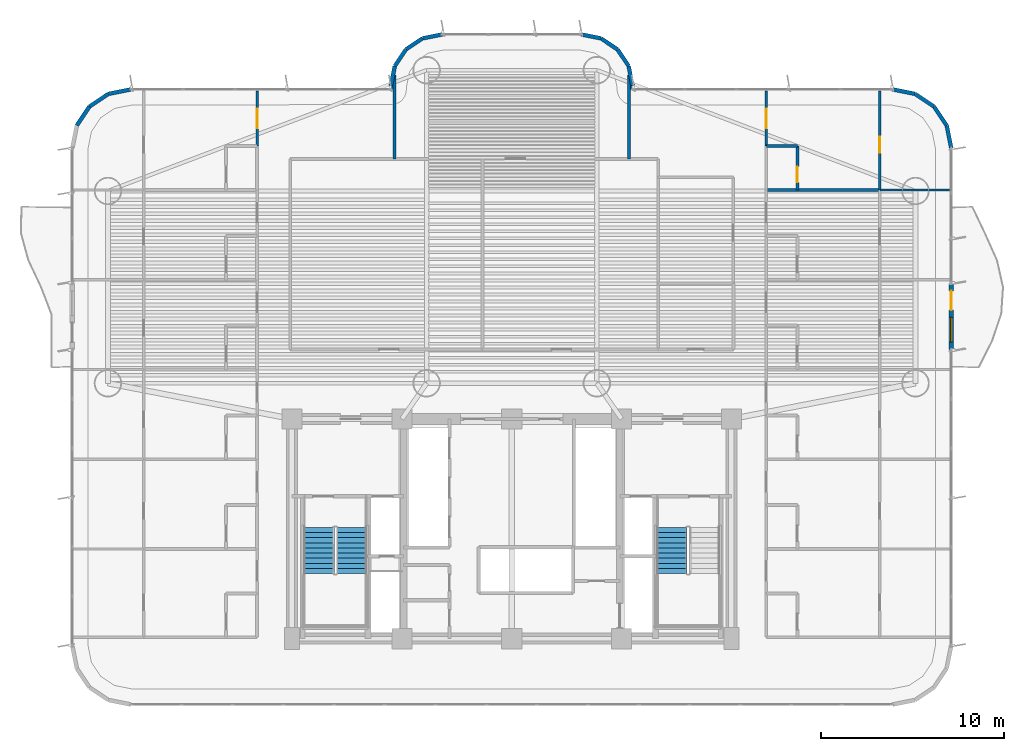
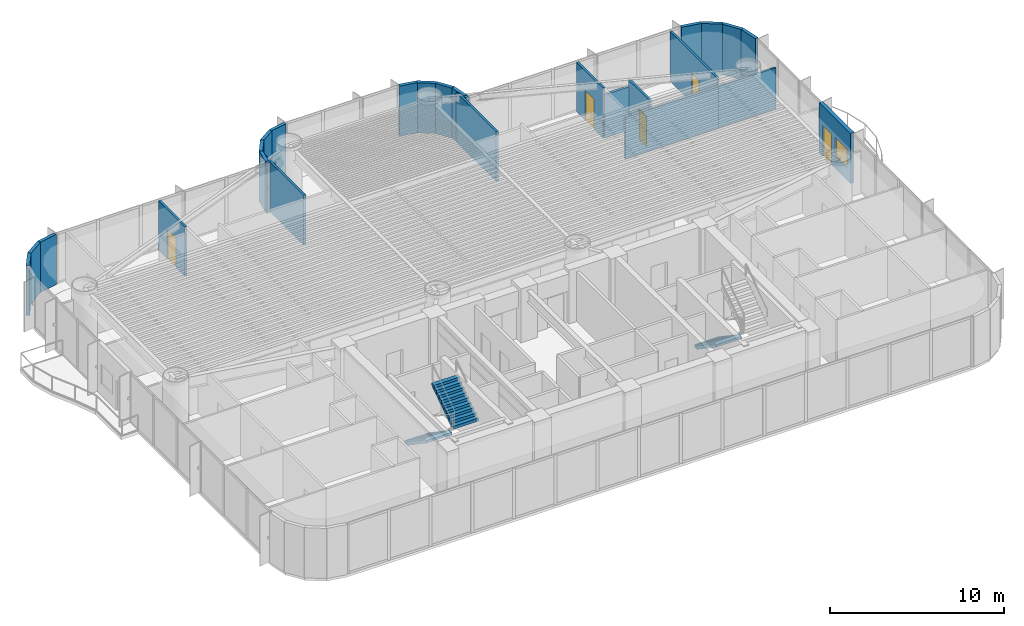
# One storey, part 14 of 19: 27 walls, 5 doors, 3 stair flights, 1 window, 6 openings, 2 elements without a shape of their own.
"""IFC4 building model written with IfcOpenShell, lengths in metres."""

from ifc_helpers import new_model, si_unit, direction, frame, frame_2d, origin, origin_2d, place, context, subcontext, project, spatial, polyline, rectangle, outline, extrude, source, transform, mapped, material, layer, layer_set, type_object, element, fill, aggregate, save


model = new_model("IFC4")

# Units and contexts
model_context = context("Model", 3, precision=1e-05, world=origin(), true_north=direction((0.0, 1.0)))
body_context = subcontext(model_context, "Body", "Model", "MODEL_VIEW")
ifc_project = project(units=[si_unit("LENGTHUNIT", "METRE"), si_unit("AREAUNIT", "SQUARE_METRE"), si_unit("VOLUMEUNIT", "CUBIC_METRE"), si_unit("PLANEANGLEUNIT", "RADIAN"), si_unit("MASSUNIT", "GRAM", prefix="KILO")], contexts=[model_context])

# Site, building, storey
site_placement = place(None, origin())
site = spatial("IfcSite", under=ifc_project, at=site_placement, CompositionType="ELEMENT")
building_placement = place(site_placement, origin())
building = spatial("IfcBuilding", under=site, at=building_placement, Name="Brelvock Crest Care Tower", CompositionType="ELEMENT")
storey_placement = place(building_placement, frame((0.0, 0.0, 64.800048828125)))
storey = spatial("IfcBuildingStorey", under=building, at=storey_placement, Name="L16", CompositionType="ELEMENT", Elevation=64.800048828125)

# Wall, openings, door, window
ifc_material_1 = material(Name="Precast concrete N40 (40 MPa)", Category="concrete")
ifc_layer_1 = layer(ifc_material_1, 0.239990234375, Name="WL-EX1")
ifc_layer_set_1 = layer_set([ifc_layer_1], Name="Precast concrete N40 (40 MPa)")
wall_type_1 = type_object("IfcWallType", Name="WL-EX1", PredefinedType="SOLIDWALL", material=ifc_layer_set_1)
wall_1_placement = place(storey_placement, frame((60.0, 25.39990234375, 0.0), z_axis=(0.0, 0.0, 1.0), x_axis=(0.0, -1.0, 0.0)))
wall_1 = element("IfcWall", 1, at=wall_1_placement, inside=storey, type_object=wall_type_1, Name="L16 Exterior Spandrel Wall WL-BAL-L16-E", PredefinedType="SOLIDWALL", context=body_context, shape_type="SweptSolid", body=[
    extrude(rectangle(XDim=3.599853515625, YDim=0.239990234375, at=frame_2d((1.7998046875, 0.0))), origin(), (0.0, 0.0, 1.0), 3.530029296875),
])
opening_1_placement = place(wall_1_placement, frame((0.39990234375, 0.0, 0.0)))
opening_1 = element("IfcOpeningElement", 2, at=opening_1_placement, cuts=wall_1, Name="Opening BD-1", PredefinedType="OPENING", context=body_context, shape_type="SweptSolid", body=[
    extrude(rectangle(XDim=1.050048828125, YDim=2.14990234375, at=origin_2d()), frame((0.52490234375, 0.1298828125, 1.074951171875), z_axis=(0.0, -1.0, 0.0), x_axis=(1.0, 0.0, 0.0)), (0.0, 0.0, 1.0), 0.260009765625),
])
opening_2_placement = place(wall_1_placement, frame((1.85009765625, 0.0, 0.85009765625)))
opening_2 = element("IfcOpeningElement", 3, at=opening_2_placement, cuts=wall_1, Name="Opening W-01", PredefinedType="OPENING", context=body_context, shape_type="SweptSolid", body=[
    extrude(rectangle(XDim=1.35009765625, YDim=1.35009765625, at=origin_2d()), frame((0.675048828125, 0.1298828125, 0.675048828125), z_axis=(0.0, -1.0, 0.0), x_axis=(1.0, 0.0, 0.0)), (0.0, 0.0, 1.0), 0.260009765625),
])
ifc_material_2 = material(Name="Dark Glass Double Glazed Low-E", Category="glass")
door_type_1 = type_object("IfcDoorType", Name="DR-BAL1", OperationType="NOTDEFINED", PredefinedType="DOOR", material=ifc_material_2)
shared_shape_1 = source(origin(), body_context, "Body", "SweptSolid", [
    extrude(rectangle(XDim=1.050048828125, YDim=2.14990234375, at=origin_2d()), frame((0.52490234375, 0.02490234375, 1.074951171875), z_axis=(0.0, -1.0, 0.0), x_axis=(1.0, 0.0, 0.0)), (0.0, 0.0, 1.0), 0.050048828125),
])
door_1_placement = place(opening_1_placement, origin())
door_1 = element("IfcDoor", 4, at=door_1_placement, inside=storey, type_object=door_type_1, Name="L16 E Wave Balcony Glazed Door", OperationType="SINGLE_SWING_RIGHT", OverallHeight=2.14990234375, OverallWidth=1.050048828125, PredefinedType="DOOR", context=body_context, shape_type="MappedRepresentation", body=[
    mapped(shared_shape_1, transform((0.0, 0.0, 0.0), x_axis=(1.0, 0.0, 0.0), y_axis=(0.0, 1.0, 0.0), z_axis=(0.0, 0.0, 1.0), scale=1.0)),
])
fill(opening_1, door_1)
window_type = type_object("IfcWindowType", Name="WN-EX1", PartitioningType="SINGLE_PANEL", PredefinedType="WINDOW", material=ifc_material_2)
shared_shape_2 = source(origin(), body_context, "Body", "SweptSolid", [
    extrude(rectangle(XDim=1.35009765625, YDim=1.35009765625, at=origin_2d()), frame((0.675048828125, 0.030029296875, 0.675048828125), z_axis=(0.0, -1.0, 0.0), x_axis=(1.0, 0.0, 0.0)), (0.0, 0.0, 1.0), 0.06005859375),
])
window_placement = place(opening_2_placement, origin())
window = element("IfcWindow", 5, at=window_placement, inside=storey, type_object=window_type, Name="L16 E Suite Casement Window", OverallHeight=1.35009765625, OverallWidth=1.35009765625, PartitioningType="SINGLE_PANEL", PredefinedType="WINDOW", context=body_context, shape_type="MappedRepresentation", body=[
    mapped(shared_shape_2, transform((0.0, 0.0, 0.0), x_axis=(1.0, 0.0, 0.0), y_axis=(0.0, 1.0, 0.0), z_axis=(0.0, 0.0, 1.0), scale=1.0)),
])
fill(opening_2, window)

# Walls
ifc_layer_2 = layer(ifc_material_1, 0.215087890625, Name="WL-EX2")
ifc_layer_set_2 = layer_set([ifc_layer_2], Name="Precast concrete N40 (40 MPa)")
wall_type_2 = type_object("IfcWallType", Name="WL-EX2", PredefinedType="SOLIDWALL", material=ifc_layer_set_2)
for number, where, z_axis, x_axis, name in (
    (6, (58.024658203125, 35.75634765625, 0.0), (0.0, 0.0, 1.0), (0.831478245117, -0.555557312883, 0.0), "L16 Rounded Corner Wall 00"),
    (7, (59.062744140625, 35.062744140625, 0.0), (0.0, 0.0, 1.0), (0.555557312883, -0.831478245117, 0.0), "L16 Rounded Corner Wall 01"),
    (8, (59.75634765625, 34.024658203125, 0.0), (0.0, 0.0, 1.0), (0.195138390419, -0.980775717779, 0.0), "L16 Rounded Corner Wall 02"),
    (9, (12.24365234375, 34.024658203125, 0.0), (0.0, 0.0, 1.0), (0.555557312883, 0.831478245117, 0.0), "L16 Rounded Corner Wall 15"),
    (10, (12.937255859375, 35.062744140625, 0.0), (0.0, 0.0, 1.0), (0.831478245117, 0.555557312883, 0.0), "L16 Rounded Corner Wall 16"),
    (11, (13.975341796875, 35.75634765625, 0.0), (0.0, 0.0, 1.0), (0.980775717779, 0.195138390419, 0.0), "L16 Rounded Corner Wall 17"),
):
    element("IfcWall", number, at=place(storey_placement, frame(where, z_axis=z_axis, x_axis=x_axis)), inside=storey, type_object=wall_type_2, Name=name, PredefinedType="SOLIDWALL", context=body_context, shape_type="SweptSolid", body=[
        extrude(rectangle(XDim=1.24853515625, YDim=0.215087890625, at=frame_2d((0.624267578125, 0.0))), origin(), (0.0, 0.0, 1.0), 3.530029296875),
    ])
wall_2_placement = place(storey_placement, frame((29.39990234375, 36.0, 0.0), z_axis=(0.0, 0.0, 1.0), x_axis=(0.0, 1.0, 0.0)))
element("IfcWall", 12, at=wall_2_placement, inside=storey, type_object=wall_type_2, Name="L16 Rounded Corner Wall 19", PredefinedType="SOLIDWALL", context=body_context, shape_type="SweptSolid", body=[
    extrude(rectangle(XDim=0.199951171875, YDim=0.215087890625, at=frame_2d((0.10009765625, 0.0))), origin(), (0.0, 0.0, 1.0), 3.530029296875),
])
wall_3_placement = place(storey_placement, frame((29.39990234375, 36.199951171875, 0.0), z_axis=(0.0, 0.0, 1.0), x_axis=(0.195084651288, 0.980786408364, 0.0)))
element("IfcWall", 13, at=wall_3_placement, inside=storey, type_object=wall_type_2, Name="L16 Rounded Corner Wall 20", PredefinedType="SOLIDWALL", context=body_context, shape_type="SweptSolid", body=[
    extrude(rectangle(XDim=1.092529296875, YDim=0.215087890625, at=frame_2d((0.54638671875, 0.0))), origin(), (0.0, 0.0, 1.0), 3.530029296875),
])
wall_4_placement = place(storey_placement, frame((29.613037109375, 37.271484375, 0.0), z_axis=(0.0, 0.0, 1.0), x_axis=(0.555679482341, 0.831396603857, 0.0)))
element("IfcWall", 14, at=wall_4_placement, inside=storey, type_object=wall_type_2, Name="L16 Rounded Corner Wall 21", PredefinedType="SOLIDWALL", context=body_context, shape_type="SweptSolid", body=[
    extrude(rectangle(XDim=1.0927734375, YDim=0.215087890625, at=frame_2d((0.54638671875, 0.0))), origin(), (0.0, 0.0, 1.0), 3.530029296875),
])
wall_5_placement = place(storey_placement, frame((30.22021484375, 38.179931640625, 0.0), z_axis=(0.0, 0.0, 1.0), x_axis=(0.831430845238, 0.555628247651, 0.0)))
element("IfcWall", 15, at=wall_5_placement, inside=storey, type_object=wall_type_2, Name="L16 Rounded Corner Wall 22", PredefinedType="SOLIDWALL", context=body_context, shape_type="SweptSolid", body=[
    extrude(rectangle(XDim=1.09228515625, YDim=0.215087890625, at=frame_2d((0.546142578125, 0.0))), origin(), (0.0, 0.0, 1.0), 3.530029296875),
])
for number, where, z_axis, x_axis, name in (
    (16, (31.12841796875, 38.786865234375, 0.0), (0.0, 0.0, 1.0), (0.980786408364, 0.195084651288, 0.0), "L16 Rounded Corner Wall 23"),
    (17, (39.800048828125, 39.0, 0.0), (0.0, 0.0, 1.0), (0.980786408364, -0.195084651288, 0.0), "L16 Rounded Corner Wall 25"),
):
    element("IfcWall", number, at=place(storey_placement, frame(where, z_axis=z_axis, x_axis=x_axis)), inside=storey, type_object=wall_type_2, Name=name, PredefinedType="SOLIDWALL", context=body_context, shape_type="SweptSolid", body=[
        extrude(rectangle(XDim=1.092529296875, YDim=0.215087890625, at=frame_2d((0.54638671875, 0.0))), origin(), (0.0, 0.0, 1.0), 3.530029296875),
    ])
wall_6_placement = place(storey_placement, frame((40.87158203125, 38.786865234375, 0.0), z_axis=(0.0, 0.0, 1.0), x_axis=(0.831430845238, -0.555628247651, 0.0)))
element("IfcWall", 18, at=wall_6_placement, inside=storey, type_object=wall_type_2, Name="L16 Rounded Corner Wall 26", PredefinedType="SOLIDWALL", context=body_context, shape_type="SweptSolid", body=[
    extrude(rectangle(XDim=1.09228515625, YDim=0.215087890625, at=frame_2d((0.546142578125, 0.0))), origin(), (0.0, 0.0, 1.0), 3.530029296875),
])
wall_7_placement = place(storey_placement, frame((41.77978515625, 38.179931640625, 0.0), z_axis=(0.0, 0.0, 1.0), x_axis=(0.555679482341, -0.831396603857, 0.0)))
element("IfcWall", 19, at=wall_7_placement, inside=storey, type_object=wall_type_2, Name="L16 Rounded Corner Wall 27", PredefinedType="SOLIDWALL", context=body_context, shape_type="SweptSolid", body=[
    extrude(rectangle(XDim=1.0927734375, YDim=0.215087890625, at=frame_2d((0.54638671875, 0.0))), origin(), (0.0, 0.0, 1.0), 3.530029296875),
])
wall_8_placement = place(storey_placement, frame((42.386962890625, 37.271484375, 0.0), z_axis=(0.0, 0.0, 1.0), x_axis=(0.195084651288, -0.980786408364, 0.0)))
element("IfcWall", 20, at=wall_8_placement, inside=storey, type_object=wall_type_2, Name="L16 Rounded Corner Wall 28", PredefinedType="SOLIDWALL", context=body_context, shape_type="SweptSolid", body=[
    extrude(rectangle(XDim=1.092529296875, YDim=0.215087890625, at=frame_2d((0.54638671875, 0.0))), origin(), (0.0, 0.0, 1.0), 3.530029296875),
])
wall_9_placement = place(storey_placement, frame((42.60009765625, 36.199951171875, 0.0), z_axis=(0.0, 0.0, 1.0), x_axis=(0.0, -1.0, 0.0)))
element("IfcWall", 21, at=wall_9_placement, inside=storey, type_object=wall_type_2, Name="L16 Rounded Corner Wall 29", PredefinedType="SOLIDWALL", context=body_context, shape_type="SweptSolid", body=[
    extrude(rectangle(XDim=0.199951171875, YDim=0.215087890625, at=frame_2d((0.10009765625, 0.0))), origin(), (0.0, 0.0, 1.0), 3.530029296875),
])
wall_10_placement = place(storey_placement, frame((56.800048828125, 36.0, 0.0), z_axis=(0.0, 0.0, 1.0), x_axis=(0.980775717779, -0.195138390419, 0.0)))
element("IfcWall", 22, at=wall_10_placement, inside=storey, type_object=wall_type_2, Name="L16 Rounded Corner Wall 31", PredefinedType="SOLIDWALL", context=body_context, shape_type="SweptSolid", body=[
    extrude(rectangle(XDim=1.24853515625, YDim=0.215087890625, at=frame_2d((0.624267578125, 0.0))), origin(), (0.0, 0.0, 1.0), 3.530029296875),
])
ifc_material_3 = material(Name="Masonry Blockwork Acoustic Partition", Category="masonry")
ifc_layer_3 = layer(ifc_material_3, 0.14990234375, Name="WL-INT1")
ifc_layer_set_3 = layer_set([ifc_layer_3], Name="Masonry Blockwork Acoustic Partition")
wall_type_3 = type_object("IfcWallType", Name="WL-INT1", PredefinedType="PARTITIONING", material=ifc_layer_set_3)
wall_11_placement = place(storey_placement, frame((49.89990234375, 30.5, 0.0), z_axis=(0.0, 0.0, 1.0), x_axis=(1.0, 0.0, 0.0)))
element("IfcWall", 23, at=wall_11_placement, inside=storey, type_object=wall_type_3, Name="L16 Interior Wall WL-BX-L16-CS-EC5-N", PredefinedType="PARTITIONING", context=body_context, shape_type="SweptSolid", body=[
    extrude(rectangle(XDim=6.2001953125, YDim=0.14990234375, at=frame_2d((3.10009765625, 0.0))), origin(), (0.0, 0.0, 1.0), 2.90283203125),
])

# Wall, opening, door
wall_12_placement = place(storey_placement, frame((22.10009765625, 32.89990234375, 0.0), z_axis=(0.0, 0.0, 1.0), x_axis=(0.0, 1.0, 0.0)))
wall_12 = element("IfcWall", 24, at=wall_12_placement, inside=storey, type_object=wall_type_3, Name="L16 Interior Wall WL-CENT-L16-WC6", PredefinedType="PARTITIONING", context=body_context, shape_type="SweptSolid", body=[
    extrude(rectangle(XDim=3.020751953125, YDim=0.14990234375, at=frame_2d((1.51025390625, 0.0))), origin(), (0.0, 0.0, 1.0), 3.5),
])
opening_3_placement = place(wall_12_placement, frame((0.989990234375, 0.0, 0.0)))
opening_3 = element("IfcOpeningElement", 25, at=opening_3_placement, cuts=wall_12, Name="Opening CD-1", PredefinedType="OPENING", context=body_context, shape_type="SweptSolid", body=[
    extrude(rectangle(XDim=1.050048828125, YDim=2.10009765625, at=origin_2d()), frame((0.52490234375, 0.0849609375, 1.050048828125), z_axis=(0.0, -1.0, 0.0), x_axis=(1.0, 0.0, 0.0)), (0.0, 0.0, 1.0), 0.169921875),
])
ifc_material_4 = material(Name="Engineered Hardwood Timber", Category="wood")
door_type_2 = type_object("IfcDoorType", Name="DR-CARE1", OperationType="NOTDEFINED", PredefinedType="DOOR", material=ifc_material_4)
shared_shape_3 = source(origin(), body_context, "Body", "SweptSolid", [
    extrude(rectangle(XDim=1.050048828125, YDim=2.10009765625, at=origin_2d()), frame((0.52490234375, 0.02490234375, 1.050048828125), z_axis=(0.0, -1.0, 0.0), x_axis=(1.0, 0.0, 0.0)), (0.0, 0.0, 1.0), 0.050048828125),
])
door_2_placement = place(opening_3_placement, origin())
door_2 = element("IfcDoor", 26, at=door_2_placement, inside=storey, type_object=door_type_2, Name="L16 Care Suite Door WC6", OperationType="SINGLE_SWING_LEFT", OverallHeight=2.10009765625, OverallWidth=1.050048828125, PredefinedType="DOOR", context=body_context, shape_type="MappedRepresentation", body=[
    mapped(shared_shape_3, transform((0.0, 0.0, 0.0), x_axis=(1.0, 0.0, 0.0), y_axis=(0.0, 1.0, 0.0), z_axis=(0.0, 0.0, 1.0), scale=1.0)),
])
fill(opening_3, door_2)

# Walls
for number, where, z_axis, x_axis, name in (
    (27, (29.60009765625, 32.199951171875, 0.0), (0.0, 0.0, 1.0), (0.0, 1.0, 0.0), "L16 Interior Wall WL-BX-L16-NHUB-W"),
    (28, (42.39990234375, 32.199951171875, 0.0), (0.0, 0.0, 1.0), (0.0, 1.0, 0.0), "L16 Interior Wall WL-BX-L16-NHUB-E"),
):
    element("IfcWall", number, at=place(storey_placement, frame(where, z_axis=z_axis, x_axis=x_axis)), inside=storey, type_object=wall_type_3, Name=name, PredefinedType="PARTITIONING", context=body_context, shape_type="SweptSolid", body=[
        extrude(rectangle(XDim=4.595458984375, YDim=0.14990234375, at=frame_2d((2.2978515625, 0.0))), origin(), (0.0, 0.0, 1.0), 3.5),
    ])

# Wall, opening, door
wall_13_placement = place(storey_placement, frame((49.89990234375, 32.89990234375, 0.0), z_axis=(0.0, 0.0, 1.0), x_axis=(0.0, 1.0, 0.0)))
wall_13 = element("IfcWall", 29, at=wall_13_placement, inside=storey, type_object=wall_type_3, Name="L16 Interior Wall WL-CENT-L16-EC6", PredefinedType="PARTITIONING", context=body_context, shape_type="SweptSolid", body=[
    extrude(rectangle(XDim=3.020263671875, YDim=0.14990234375, at=frame_2d((1.51025390625, 0.0))), origin(), (0.0, 0.0, 1.0), 3.5),
])
opening_4_placement = place(wall_13_placement, frame((0.989990234375, 0.0, 0.0)))
opening_4 = element("IfcOpeningElement", 30, at=opening_4_placement, cuts=wall_13, Name="Opening CD-1", PredefinedType="OPENING", context=body_context, shape_type="SweptSolid", body=[
    extrude(rectangle(XDim=1.050048828125, YDim=2.10009765625, at=origin_2d()), frame((0.52490234375, 0.0849609375, 1.050048828125), z_axis=(0.0, -1.0, 0.0), x_axis=(1.0, 0.0, 0.0)), (0.0, 0.0, 1.0), 0.169921875),
])
door_3_placement = place(opening_4_placement, origin())
door_3 = element("IfcDoor", 31, at=door_3_placement, inside=storey, type_object=door_type_2, Name="L16 Care Suite Door EC6", OperationType="SINGLE_SWING_LEFT", OverallHeight=2.10009765625, OverallWidth=1.050048828125, PredefinedType="DOOR", context=body_context, shape_type="MappedRepresentation", body=[
    mapped(shared_shape_3, transform((0.0, 0.0, 0.0), x_axis=(1.0, 0.0, 0.0), y_axis=(0.0, 1.0, 0.0), z_axis=(0.0, 0.0, 1.0), scale=1.0)),
])
fill(opening_4, door_3)

wall_14_placement = place(storey_placement, frame((56.10009765625, 30.5, 0.0), z_axis=(0.0, 0.0, 1.0), x_axis=(0.0, 1.0, 0.0)))
wall_14 = element("IfcWall", 32, at=wall_14_placement, inside=storey, type_object=wall_type_3, Name="L16 Interior Wall WL-RM-L16-EC6S", PredefinedType="PARTITIONING", context=body_context, shape_type="SweptSolid", body=[
    extrude(rectangle(XDim=5.419921875, YDim=0.14990234375, at=frame_2d((2.7099609375, 0.0))), origin(), (0.0, 0.0, 1.0), 3.5),
])
opening_5_placement = place(wall_14_placement, frame((2.0400390625, 0.0, 0.0)))
opening_5 = element("IfcOpeningElement", 33, at=opening_5_placement, cuts=wall_14, Name="Opening ID-1", PredefinedType="OPENING", context=body_context, shape_type="SweptSolid", body=[
    extrude(rectangle(XDim=0.860107421875, YDim=2.10009765625, at=origin_2d()), frame((0.43017578125, 0.0849609375, 1.050048828125), z_axis=(0.0, -1.0, 0.0), x_axis=(1.0, 0.0, 0.0)), (0.0, 0.0, 1.0), 0.169921875),
])
door_type_3 = type_object("IfcDoorType", Name="DR-INT1", OperationType="NOTDEFINED", PredefinedType="DOOR", material=ifc_material_4)
shared_shape_4 = source(origin(), body_context, "Body", "SweptSolid", [
    extrude(rectangle(XDim=0.860107421875, YDim=2.10009765625, at=origin_2d()), frame((0.43017578125, 0.02490234375, 1.050048828125), z_axis=(0.0, -1.0, 0.0), x_axis=(1.0, 0.0, 0.0)), (0.0, 0.0, 1.0), 0.050048828125),
])
door_4_placement = place(opening_5_placement, origin())
door_4 = element("IfcDoor", 34, at=door_4_placement, inside=storey, type_object=door_type_3, Name="L16 Skilled Nursing Mobility Store Door EC6S", OperationType="SINGLE_SWING_LEFT", OverallHeight=2.10009765625, OverallWidth=0.860107421875, PredefinedType="DOOR", context=body_context, shape_type="MappedRepresentation", body=[
    mapped(shared_shape_4, transform((0.0, 0.0, 0.0), x_axis=(1.0, 0.0, 0.0), y_axis=(0.0, 1.0, 0.0), z_axis=(0.0, 0.0, 1.0), scale=1.0)),
])
fill(opening_5, door_4)

# Walls
ifc_material_5 = material(Name="Gypsum Plasterboard Partition", Category="gypsum")
ifc_layer_4 = layer(ifc_material_5, 0.1201171875, Name="WL-INT2")
ifc_layer_set_4 = layer_set([ifc_layer_4], Name="Gypsum Plasterboard Partition")
wall_type_4 = type_object("IfcWallType", Name="WL-INT2", PredefinedType="PARTITIONING", material=ifc_layer_set_4)
wall_15_placement = place(storey_placement, frame((56.10009765625, 30.5, 0.0), z_axis=(0.0, 0.0, 1.0), x_axis=(1.0, 0.0, 0.0)))
element("IfcWall", 35, at=wall_15_placement, inside=storey, type_object=wall_type_4, Name="L16 Interior Wall WL-BX-L16-EC5S-N", PredefinedType="PARTITIONING", context=body_context, shape_type="SweptSolid", body=[
    extrude(rectangle(XDim=3.81982421875, YDim=0.1201171875, at=frame_2d((1.909912109375, 0.0))), origin(), (0.0, 0.0, 1.0), 2.90283203125),
])
ifc_layer_5 = layer(ifc_material_5, 0.159912109375, Name="WL-PLM1")
ifc_layer_set_5 = layer_set([ifc_layer_5], Name="Gypsum Plasterboard Partition")
wall_type_5 = type_object("IfcWallType", Name="WL-PLM1", PredefinedType="PLUMBINGWALL", material=ifc_layer_set_5)
wall_16_placement = place(storey_placement, frame((49.89990234375, 32.89990234375, 0.0), z_axis=(0.0, 0.0, 1.0), x_axis=(1.0, 0.0, 0.0)))
element("IfcWall", 36, at=wall_16_placement, inside=storey, type_object=wall_type_5, Name="L16 Interior Wall WL-CENS2-L16-EC6", PredefinedType="PLUMBINGWALL", context=body_context, shape_type="SweptSolid", body=[
    extrude(rectangle(XDim=1.7001953125, YDim=0.159912109375, at=frame_2d((0.85009765625, 0.0))), origin(), (0.0, 0.0, 1.0), 3.054931640625),
])

# Wall, opening, door
wall_17_placement = place(storey_placement, frame((51.60009765625, 30.5, 0.0), z_axis=(0.0, 0.0, 1.0), x_axis=(0.0, 1.0, 0.0)))
wall_17 = element("IfcWall", 37, at=wall_17_placement, inside=storey, type_object=wall_type_5, Name="L16 Interior Wall WL-CENS1-L16-EC6", PredefinedType="PLUMBINGWALL", context=body_context, shape_type="SweptSolid", body=[
    extrude(rectangle(XDim=2.39990234375, YDim=0.159912109375, at=frame_2d((1.199951171875, 0.0))), origin(), (0.0, 0.0, 1.0), 3.5),
])
opening_6_placement = place(wall_17_placement, frame((0.419921875, 0.0, 0.0)))
opening_6 = element("IfcOpeningElement", 38, at=opening_6_placement, cuts=wall_17, Name="Opening WD-1", PredefinedType="OPENING", context=body_context, shape_type="SweptSolid", body=[
    extrude(rectangle(XDim=0.860107421875, YDim=2.10009765625, at=origin_2d()), frame((0.43017578125, 0.08984375, 1.050048828125), z_axis=(0.0, -1.0, 0.0), x_axis=(1.0, 0.0, 0.0)), (0.0, 0.0, 1.0), 0.179931640625),
])
door_type_4 = type_object("IfcDoorType", Name="DR-WC1", OperationType="NOTDEFINED", PredefinedType="DOOR", material=ifc_material_4)
shared_shape_5 = source(origin(), body_context, "Body", "SweptSolid", [
    extrude(rectangle(XDim=0.860107421875, YDim=2.10009765625, at=origin_2d()), frame((0.43017578125, 0.02490234375, 1.050048828125), z_axis=(0.0, -1.0, 0.0), x_axis=(1.0, 0.0, 0.0)), (0.0, 0.0, 1.0), 0.050048828125),
])
door_5_placement = place(opening_6_placement, origin())
door_5 = element("IfcDoor", 39, at=door_5_placement, inside=storey, type_object=door_type_4, Name="L16 Care En-Suite Door EC6", OperationType="SINGLE_SWING_RIGHT", OverallHeight=2.10009765625, OverallWidth=0.860107421875, PredefinedType="DOOR", context=body_context, shape_type="MappedRepresentation", body=[
    mapped(shared_shape_5, transform((0.0, 0.0, 0.0), x_axis=(1.0, 0.0, 0.0), y_axis=(0.0, 1.0, 0.0), z_axis=(0.0, 0.0, 1.0), scale=1.0)),
])
fill(opening_6, door_5)

# Stair, stair flights
ifc_material_6 = material(Name="Concrete N40 (40 MPa)", Category="concrete")
stair_type = type_object("IfcStairType", Name="ST-CORE1", PredefinedType="HALF_TURN_STAIR", material=ifc_material_6)
stair_1_placement = place(storey_placement, origin())
stair_1 = element("IfcStair", 40, at=stair_1_placement, inside=storey, type_object=stair_type, Name="L16 Fire-Isolated Core Stair ST-1", PredefinedType="HALF_TURN_STAIR")
stair_flight_type = type_object("IfcStairFlightType", Name="STF-1", PredefinedType="STRAIGHT", material=ifc_material_6)
stair_flight_1_placement = place(storey_placement, frame((25.469970703125, 12.080078125, 0.0), z_axis=(0.0, 0.0, 1.0), x_axis=(0.0, -1.0, 0.0)))
stair_flight_1 = element("IfcStairFlight", 41, at=stair_flight_1_placement, type_object=stair_flight_type, Name="ST-1 flight 1", NumberOfRisers=10, NumberOfTreads=9, PredefinedType="STRAIGHT", RiserHeight=0.189, TreadLength=0.28, context=body_context, shape_type="SweptSolid", body=[
    extrude(outline(polyline([(-0.00390625, -0.014892578125), (-0.00390625, -0.0078125), (-0.00390625, -0.00048828125), (-0.00390625, 0.0068359375), (-0.00390625, 0.01416015625), (-0.00390625, 0.021484375), (-0.00390625, 0.02880859375), (-0.00390625, 0.035888671875), (-0.00390625, 0.043212890625), (-0.00390625, 0.050537109375), (-0.00390625, 0.057861328125), (-0.00390625, 0.065185546875), (-0.00390625, 0.072509765625), (-0.00390625, 0.07958984375), (-0.00390625, 0.0869140625), (-0.00390625, 0.09423828125), (-0.00390625, 0.1015625), (-0.00390625, 0.10888671875), (-0.00390625, 0.1162109375), (-0.00390625, 0.12353515625), (-0.00390625, 0.130615234375), (-0.00390625, 0.137939453125), (-0.00390625, 0.145263671875), (-0.00390625, 0.152587890625), (-0.00390625, 0.159912109375), (-0.00390625, 0.167236328125), (-0.00390625, 0.17431640625), (-0.00390625, 0.181640625), (-0.00390625, 0.18896484375), (0.0, 0.18896484375), (0.280029296875, 0.18896484375), (0.280029296875, 0.3779296875), (0.56005859375, 0.3779296875), (0.56005859375, 0.56689453125), (0.840087890625, 0.56689453125), (0.840087890625, 0.756103515625), (1.1201171875, 0.756103515625), (1.1201171875, 0.945068359375), (1.39990234375, 0.945068359375), (1.39990234375, 1.134033203125), (1.679931640625, 1.134033203125), (1.679931640625, 1.322998046875), (1.9599609375, 1.322998046875), (1.9599609375, 1.511962890625), (2.239990234375, 1.511962890625), (2.239990234375, 1.700927734375), (2.52001953125, 1.700927734375), (2.52392578125, 1.700927734375), (2.523681640625, 1.70068359375), (2.52392578125, 1.700439453125), (2.523681640625, 1.699951171875), (2.52392578125, 1.69970703125), (2.523681640625, 1.699462890625), (2.52392578125, 1.698974609375), (2.523681640625, 1.69873046875), (2.52392578125, 1.698486328125), (2.523681640625, 1.697998046875), (2.52392578125, 1.69775390625), (2.523681640625, 1.697509765625), (2.52392578125, 1.697021484375), (2.523681640625, 1.69677734375), (2.52392578125, 1.696533203125), (2.523681640625, 1.6962890625), (2.52392578125, 1.69580078125), (2.523681640625, 1.695556640625), (2.52392578125, 1.6953125), (2.523681640625, 1.69482421875), (2.52392578125, 1.694580078125), (2.523681640625, 1.6943359375), (2.52392578125, 1.69384765625), (2.523681640625, 1.693603515625), (2.52392578125, 1.693359375), (2.523681640625, 1.69287109375), (2.52392578125, 1.692626953125), (2.523681640625, 1.6923828125), (2.52392578125, 1.69189453125), (2.52001953125, 1.520263671875), (0.267822265625, 0.0), (0.0, 0.0), (0.0, -0.014892578125), (-0.00390625, -0.014892578125)])), frame((0.0, 0.83984375, 0.0), z_axis=(0.0, -1.0, 0.0), x_axis=(1.0, 0.0, 0.0)), (0.0, 0.0, 1.0), 1.679931640625),
])
stair_flight_2_placement = place(storey_placement, frame((27.27001953125, 9.56005859375, 1.889892578125), z_axis=(0.0, 0.0, 1.0), x_axis=(0.0, 1.0, 0.0)))
stair_flight_2 = element("IfcStairFlight", 42, at=stair_flight_2_placement, type_object=stair_flight_type, Name="ST-1 flight 2", NumberOfRisers=10, NumberOfTreads=9, PredefinedType="STRAIGHT", RiserHeight=0.189, TreadLength=0.28, context=body_context, shape_type="SweptSolid", body=[
    extrude(outline(polyline([(-0.00390625, -0.014892578125), (-0.00390625, -0.0078125), (-0.00390625, -0.00048828125), (-0.00390625, 0.0068359375), (-0.00390625, 0.01416015625), (-0.00390625, 0.021484375), (-0.00390625, 0.02880859375), (-0.00390625, 0.035888671875), (-0.00390625, 0.043212890625), (-0.00390625, 0.050537109375), (-0.00390625, 0.057861328125), (-0.00390625, 0.065185546875), (-0.00390625, 0.072509765625), (-0.00390625, 0.07958984375), (-0.00390625, 0.0869140625), (-0.00390625, 0.09423828125), (-0.00390625, 0.1015625), (-0.00390625, 0.10888671875), (-0.00390625, 0.1162109375), (-0.00390625, 0.12353515625), (-0.00390625, 0.130615234375), (-0.00390625, 0.137939453125), (-0.00390625, 0.145263671875), (-0.00390625, 0.152587890625), (-0.00390625, 0.159912109375), (-0.00390625, 0.167236328125), (-0.00390625, 0.17431640625), (-0.00390625, 0.181640625), (-0.00390625, 0.18896484375), (0.0, 0.18896484375), (0.280029296875, 0.18896484375), (0.280029296875, 0.3779296875), (0.56005859375, 0.3779296875), (0.56005859375, 0.56689453125), (0.840087890625, 0.56689453125), (0.840087890625, 0.756103515625), (1.1201171875, 0.756103515625), (1.1201171875, 0.945068359375), (1.39990234375, 0.945068359375), (1.39990234375, 1.134033203125), (1.679931640625, 1.134033203125), (1.679931640625, 1.322998046875), (1.9599609375, 1.322998046875), (1.9599609375, 1.511962890625), (2.239990234375, 1.511962890625), (2.239990234375, 1.700927734375), (2.52001953125, 1.700927734375), (2.52392578125, 1.700927734375), (2.523681640625, 1.70068359375), (2.52392578125, 1.700439453125), (2.523681640625, 1.699951171875), (2.52392578125, 1.69970703125), (2.523681640625, 1.699462890625), (2.52392578125, 1.698974609375), (2.523681640625, 1.69873046875), (2.52392578125, 1.698486328125), (2.523681640625, 1.697998046875), (2.52392578125, 1.69775390625), (2.523681640625, 1.697509765625), (2.52392578125, 1.697021484375), (2.523681640625, 1.69677734375), (2.52392578125, 1.696533203125), (2.523681640625, 1.6962890625), (2.52392578125, 1.69580078125), (2.523681640625, 1.695556640625), (2.52392578125, 1.6953125), (2.523681640625, 1.69482421875), (2.52392578125, 1.694580078125), (2.523681640625, 1.6943359375), (2.52392578125, 1.69384765625), (2.523681640625, 1.693603515625), (2.52392578125, 1.693359375), (2.523681640625, 1.69287109375), (2.52392578125, 1.692626953125), (2.523681640625, 1.6923828125), (2.52392578125, 1.69189453125), (2.52001953125, 1.520263671875), (0.267822265625, 0.0), (0.0, 0.0), (0.0, -0.014892578125), (-0.00390625, -0.014892578125)])), frame((0.0, 0.83984375, 0.0), z_axis=(0.0, -1.0, 0.0), x_axis=(1.0, 0.0, 0.0)), (0.0, 0.0, 1.0), 1.679931640625),
])
aggregate(stair_1, [stair_flight_1, stair_flight_2])

# Stair, stair flight
stair_2_placement = place(storey_placement, origin())
stair_2 = element("IfcStair", 43, at=stair_2_placement, inside=storey, type_object=stair_type, Name="L16 Fire-Isolated Core Stair ST-2", PredefinedType="HALF_TURN_STAIR")
stair_flight_3_placement = place(storey_placement, frame((44.72998046875, 12.080078125, 0.0), z_axis=(0.0, 0.0, 1.0), x_axis=(0.0, -1.0, 0.0)))
stair_flight_3 = element("IfcStairFlight", 44, at=stair_flight_3_placement, type_object=stair_flight_type, Name="ST-2 flight 1", NumberOfRisers=10, NumberOfTreads=9, PredefinedType="STRAIGHT", RiserHeight=0.189, TreadLength=0.28, context=body_context, shape_type="SweptSolid", body=[
    extrude(outline(polyline([(-0.00390625, -0.014892578125), (-0.00390625, -0.0078125), (-0.00390625, -0.00048828125), (-0.00390625, 0.0068359375), (-0.00390625, 0.01416015625), (-0.00390625, 0.021484375), (-0.00390625, 0.02880859375), (-0.00390625, 0.035888671875), (-0.00390625, 0.043212890625), (-0.00390625, 0.050537109375), (-0.00390625, 0.057861328125), (-0.00390625, 0.065185546875), (-0.00390625, 0.072509765625), (-0.00390625, 0.07958984375), (-0.00390625, 0.0869140625), (-0.00390625, 0.09423828125), (-0.00390625, 0.1015625), (-0.00390625, 0.10888671875), (-0.00390625, 0.1162109375), (-0.00390625, 0.12353515625), (-0.00390625, 0.130615234375), (-0.00390625, 0.137939453125), (-0.00390625, 0.145263671875), (-0.00390625, 0.152587890625), (-0.00390625, 0.159912109375), (-0.00390625, 0.167236328125), (-0.00390625, 0.17431640625), (-0.00390625, 0.181640625), (-0.00390625, 0.18896484375), (0.0, 0.18896484375), (0.280029296875, 0.18896484375), (0.280029296875, 0.3779296875), (0.56005859375, 0.3779296875), (0.56005859375, 0.56689453125), (0.840087890625, 0.56689453125), (0.840087890625, 0.756103515625), (1.1201171875, 0.756103515625), (1.1201171875, 0.945068359375), (1.39990234375, 0.945068359375), (1.39990234375, 1.134033203125), (1.679931640625, 1.134033203125), (1.679931640625, 1.322998046875), (1.9599609375, 1.322998046875), (1.9599609375, 1.511962890625), (2.239990234375, 1.511962890625), (2.239990234375, 1.700927734375), (2.52001953125, 1.700927734375), (2.52392578125, 1.700927734375), (2.523681640625, 1.70068359375), (2.52392578125, 1.700439453125), (2.523681640625, 1.699951171875), (2.52392578125, 1.69970703125), (2.523681640625, 1.699462890625), (2.52392578125, 1.698974609375), (2.523681640625, 1.69873046875), (2.52392578125, 1.698486328125), (2.523681640625, 1.697998046875), (2.52392578125, 1.69775390625), (2.523681640625, 1.697509765625), (2.52392578125, 1.697021484375), (2.523681640625, 1.69677734375), (2.52392578125, 1.696533203125), (2.523681640625, 1.6962890625), (2.52392578125, 1.69580078125), (2.523681640625, 1.695556640625), (2.52392578125, 1.6953125), (2.523681640625, 1.69482421875), (2.52392578125, 1.694580078125), (2.523681640625, 1.6943359375), (2.52392578125, 1.69384765625), (2.523681640625, 1.693603515625), (2.52392578125, 1.693359375), (2.523681640625, 1.69287109375), (2.52392578125, 1.692626953125), (2.523681640625, 1.6923828125), (2.52392578125, 1.69189453125), (2.52001953125, 1.520263671875), (0.267822265625, 0.0), (0.0, 0.0), (0.0, -0.014892578125), (-0.00390625, -0.014892578125)])), frame((0.0, 0.83984375, 0.0), z_axis=(0.0, -1.0, 0.0), x_axis=(1.0, 0.0, 0.0)), (0.0, 0.0, 1.0), 1.679931640625),
])
aggregate(stair_2, [stair_flight_3])

save(model, "model.ifc")
